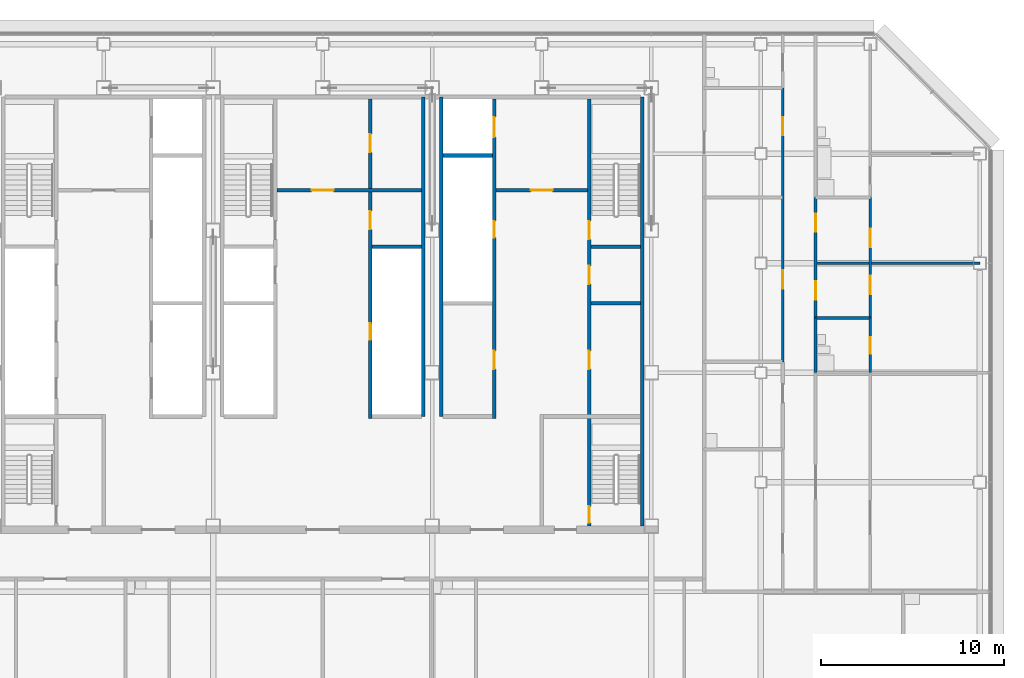
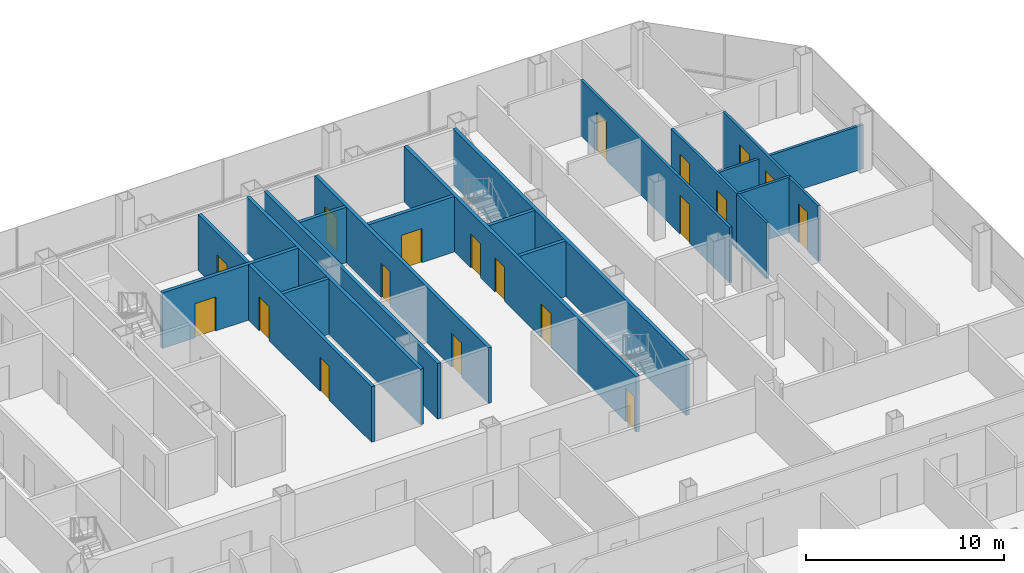
# One storey, part 22 of 26: 19 doors, 19 walls, 19 openings.
"""IFC4 building model written with IfcOpenShell, lengths in metres."""

from ifc_helpers import new_model, si_unit, direction, frame, frame_2d, origin, place, context, subcontext, project, spatial, rectangle, extrude, material, layer, layer_set, type_object, element, fill, save


model = new_model("IFC4")

# Units and contexts
model_context = context("Model", 3, precision=1e-05, world=origin(), true_north=direction((0.0, 1.0)))
body_context = subcontext(model_context, "Body", "Model", "MODEL_VIEW")
ifc_project = project(units=[si_unit("LENGTHUNIT", "METRE"), si_unit("AREAUNIT", "SQUARE_METRE"), si_unit("VOLUMEUNIT", "CUBIC_METRE"), si_unit("PLANEANGLEUNIT", "RADIAN"), si_unit("MASSUNIT", "GRAM", prefix="KILO")], contexts=[model_context])

# Site, building, storey
site_placement = place(None, origin())
site = spatial("IfcSite", under=ifc_project, at=site_placement, CompositionType="ELEMENT")
building_placement = place(site_placement, origin())
building = spatial("IfcBuilding", under=site, at=building_placement, Name="Sorahane Residences", CompositionType="ELEMENT")
storey_placement = place(building_placement, frame((0.0, 0.0, 147.39990234375)))
storey = spatial("IfcBuildingStorey", under=building, at=storey_placement, Name="L33", CompositionType="ELEMENT", Elevation=147.39990234375)

# Walls
ifc_material_1 = material(Name="Concrete C30", Category="concrete")
ifc_layer_1 = layer(ifc_material_1, 0.199951171875)
ifc_layer_set_1 = layer_set([ifc_layer_1], Name="Core face wall 200 EI 180")
wall_type_1 = type_object("IfcWallType", Name="Core face wall 200 EI 180", PredefinedType="SOLIDWALL", material=ifc_layer_set_1)
wall_1_placement = place(storey_placement, frame((41.5, 21.60009765625, 0.0), z_axis=(0.0, 0.0, 1.0), x_axis=(0.0, 1.0, 0.0)))
element("IfcWall", 1, at=wall_1_placement, inside=storey, type_object=wall_type_1, Name="L33 core face wall", PredefinedType="SOLIDWALL", context=body_context, shape_type="SweptSolid", body=[
    extrude(rectangle(XDim=23.5, YDim=0.199951171875, at=frame_2d((11.75, 0.0))), origin(), (0.0, 0.0, 1.0), 3.420166015625),
])
for number, where, z_axis, x_axis, name in (
    (2, (29.5, 27.60009765625, 0.0), (0.0, 0.0, 1.0), (0.0, 1.0, 0.0), "L33 core face wall"),
    (3, (30.5, 27.60009765625, 0.0), (0.0, 0.0, 1.0), (0.0, 1.0, 0.0), "L33 core face wall"),
):
    element("IfcWall", number, at=place(storey_placement, frame(where, z_axis=z_axis, x_axis=x_axis)), inside=storey, type_object=wall_type_1, Name=name, PredefinedType="SOLIDWALL", context=body_context, shape_type="SweptSolid", body=[
        extrude(rectangle(XDim=17.5, YDim=0.199951171875, at=frame_2d((8.75, 0.0))), origin(), (0.0, 0.0, 1.0), 3.420166015625),
    ])

# Wall, opening, door
ifc_material_2 = material(Name="Concrete C30", Category="concrete")
ifc_layer_2 = layer(ifc_material_2, 0.199951171875)
ifc_layer_set_2 = layer_set([ifc_layer_2], Name="Front room wall 200 EI 120")
wall_type_2 = type_object("IfcWallType", Name="Front room wall 200 EI 120", PredefinedType="PARTITIONING", material=ifc_layer_set_2)
wall_2_placement = place(storey_placement, frame((21.5, 40.0, 0.0), z_axis=(0.0, 0.0, 1.0), x_axis=(1.0, 0.0, 0.0)))
wall_2 = element("IfcWall", 4, at=wall_2_placement, inside=storey, type_object=wall_type_2, Name="L33 front room wall", PredefinedType="PARTITIONING", context=body_context, shape_type="SweptSolid", body=[
    extrude(rectangle(XDim=7.89990234375, YDim=0.199951171875, at=frame_2d((3.949951171875, 0.0))), origin(), (0.0, 0.0, 1.0), 3.420166015625),
])
opening_1_placement = place(wall_2_placement, frame((1.89990234375, 0.0, 0.0)))
opening_1 = element("IfcOpeningElement", 5, at=opening_1_placement, cuts=wall_2, Name="Opening L33-C07", PredefinedType="OPENING", context=body_context, shape_type="SweptSolid", body=[
    extrude(rectangle(XDim=1.199951171875, YDim=2.10009765625, at=frame_2d((0.60009765625, 1.050048828125))), frame((0.0, 0.10986328125, 0.0), z_axis=(0.0, -1.0, 0.0), x_axis=(1.0, 0.0, 0.0)), (0.0, 0.0, 1.0), 0.219970703125),
])
ifc_material_3 = material(Name="Steel", Category="steel")
door_type_1 = type_object("IfcDoorType", Name="Front room door 1200x2100 FD120", OperationType="NOTDEFINED", PredefinedType="DOOR", material=ifc_material_3)
door_1_placement = place(opening_1_placement, frame((1.199951171875, 0.0, 0.0), z_axis=(0.0, 0.0, 1.0), x_axis=(-1.0, 0.0, 0.0)))
door_1 = element("IfcDoor", 6, at=door_1_placement, inside=storey, type_object=door_type_1, Name="Front room door Stair S3 vestibule L33", OperationType="DOUBLE_DOOR_SINGLE_SWING", OverallHeight=2.10009765625, OverallWidth=1.199951171875, PredefinedType="DOOR", context=body_context, shape_type="SweptSolid", body=[
    extrude(rectangle(XDim=1.199951171875, YDim=2.10009765625, at=frame_2d((0.60009765625, 1.050048828125))), frame((0.0, 0.02490234375, 0.0), z_axis=(0.0, -1.0, 0.0), x_axis=(1.0, 0.0, 0.0)), (0.0, 0.0, 1.0), 0.050048828125),
])
fill(opening_1, door_1)

wall_3_placement = place(storey_placement, frame((33.5, 40.0, 0.0), z_axis=(0.0, 0.0, 1.0), x_axis=(1.0, 0.0, 0.0)))
wall_3 = element("IfcWall", 7, at=wall_3_placement, inside=storey, type_object=wall_type_2, Name="L33 front room wall", PredefinedType="PARTITIONING", context=body_context, shape_type="SweptSolid", body=[
    extrude(rectangle(XDim=5.0, YDim=0.199951171875, at=frame_2d((2.5, 0.0))), origin(), (0.0, 0.0, 1.0), 3.420166015625),
])
opening_2_placement = place(wall_3_placement, frame((1.89990234375, 0.0, 0.0)))
opening_2 = element("IfcOpeningElement", 8, at=opening_2_placement, cuts=wall_3, Name="Opening L33-C08", PredefinedType="OPENING", context=body_context, shape_type="SweptSolid", body=[
    extrude(rectangle(XDim=1.199951171875, YDim=2.10009765625, at=frame_2d((0.60009765625, 1.050048828125))), frame((0.0, 0.10986328125, 0.0), z_axis=(0.0, -1.0, 0.0), x_axis=(1.0, 0.0, 0.0)), (0.0, 0.0, 1.0), 0.219970703125),
])
door_2_placement = place(opening_2_placement, frame((1.199951171875, 0.0, 0.0), z_axis=(0.0, 0.0, 1.0), x_axis=(-1.0, 0.0, 0.0)))
door_2 = element("IfcDoor", 9, at=door_2_placement, inside=storey, type_object=door_type_1, Name="Front room door Firefighting lobby FF2 front room L33", OperationType="DOUBLE_DOOR_SINGLE_SWING", OverallHeight=2.10009765625, OverallWidth=1.199951171875, PredefinedType="DOOR", context=body_context, shape_type="SweptSolid", body=[
    extrude(rectangle(XDim=1.199951171875, YDim=2.10009765625, at=frame_2d((0.60009765625, 1.050048828125))), frame((0.0, 0.02490234375, 0.0), z_axis=(0.0, -1.0, 0.0), x_axis=(1.0, 0.0, 0.0)), (0.0, 0.0, 1.0), 0.050048828125),
])
fill(opening_2, door_2)

# Wall, openings, doors
ifc_material_4 = material(Name="Concrete C30", Category="concrete")
ifc_layer_3 = layer(ifc_material_4, 0.199951171875)
ifc_layer_set_3 = layer_set([ifc_layer_3], Name="Lift shaft wall 200 EI 120")
wall_type_3 = type_object("IfcWallType", Name="Lift shaft wall 200 EI 120", PredefinedType="SOLIDWALL", material=ifc_layer_set_3)
wall_4_placement = place(storey_placement, frame((33.39990234375, 27.5, 0.0), z_axis=(0.0, 0.0, 1.0), x_axis=(0.0, 1.0, 0.0)))
wall_4 = element("IfcWall", 10, at=wall_4_placement, inside=storey, type_object=wall_type_3, Name="L33 lift shaft wall", PredefinedType="SOLIDWALL", context=body_context, shape_type="SweptSolid", body=[
    extrude(rectangle(XDim=17.5, YDim=0.199951171875, at=frame_2d((8.75, 0.0))), origin(), (0.0, 0.0, 1.0), 3.420166015625),
])
opening_3_placement = place(wall_4_placement, frame((15.39990234375, 0.0, 0.0)))
opening_3 = element("IfcOpeningElement", 11, at=opening_3_placement, cuts=wall_4, Name="Opening L33-C09", PredefinedType="OPENING", context=body_context, shape_type="SweptSolid", body=[
    extrude(rectangle(XDim=1.10009765625, YDim=2.10009765625, at=frame_2d((0.550048828125, 1.050048828125))), frame((0.0, 0.10986328125, 0.0), z_axis=(0.0, -1.0, 0.0), x_axis=(1.0, 0.0, 0.0)), (0.0, 0.0, 1.0), 0.219970703125),
])
opening_4_placement = place(wall_4_placement, frame((2.699951171875, 0.0, 0.0)))
opening_4 = element("IfcOpeningElement", 12, at=opening_4_placement, cuts=wall_4, Name="Opening L33-C18", PredefinedType="OPENING", context=body_context, shape_type="SweptSolid", body=[
    extrude(rectangle(XDim=1.0, YDim=2.10009765625, at=frame_2d((0.5, 1.050048828125))), frame((0.0, 0.10986328125, 0.0), z_axis=(0.0, -1.0, 0.0), x_axis=(1.0, 0.0, 0.0)), (0.0, 0.0, 1.0), 0.219970703125),
])
opening_5_placement = place(wall_4_placement, frame((9.89990234375, 0.0, 0.0)))
opening_5 = element("IfcOpeningElement", 13, at=opening_5_placement, cuts=wall_4, Name="Opening L33-C25", PredefinedType="OPENING", context=body_context, shape_type="SweptSolid", body=[
    extrude(rectangle(XDim=0.89990234375, YDim=2.10009765625, at=frame_2d((0.449951171875, 1.050048828125))), frame((0.0, 0.10986328125, 0.0), z_axis=(0.0, -1.0, 0.0), x_axis=(1.0, 0.0, 0.0)), (0.0, 0.0, 1.0), 0.219970703125),
])
ifc_material_5 = material(Name="Aluminium and stainless steel", Category="steel")
door_type_2 = type_object("IfcDoorType", Name="Lift landing door 1100x2100 E 60", OperationType="NOTDEFINED", PredefinedType="DOOR", material=ifc_material_5)
door_3_placement = place(opening_3_placement, origin())
door_3 = element("IfcDoor", 14, at=door_3_placement, inside=storey, type_object=door_type_2, Name="Lift landing door FF2 L33", OperationType="DOUBLE_DOOR_SLIDING", OverallHeight=2.10009765625, OverallWidth=1.10009765625, PredefinedType="DOOR", context=body_context, shape_type="SweptSolid", body=[
    extrude(rectangle(XDim=1.10009765625, YDim=2.10009765625, at=frame_2d((0.550048828125, 1.050048828125))), frame((0.0, 0.02490234375, 0.0), z_axis=(0.0, -1.0, 0.0), x_axis=(1.0, 0.0, 0.0)), (0.0, 0.0, 1.0), 0.050048828125),
])
fill(opening_3, door_3)
ifc_material_6 = material(Name="Steel", Category="steel")
door_type_3 = type_object("IfcDoorType", Name="Riser door 900x2100 FD120", OperationType="NOTDEFINED", PredefinedType="DOOR", material=ifc_material_6)
door_4_placement = place(opening_5_placement, frame((0.89990234375, 0.0, 0.0), z_axis=(0.0, 0.0, 1.0), x_axis=(-1.0, 0.0, 0.0)))
door_4 = element("IfcDoor", 15, at=door_4_placement, inside=storey, type_object=door_type_3, Name="Riser door R2 L33", OperationType="SINGLE_SWING_LEFT", OverallHeight=2.10009765625, OverallWidth=0.89990234375, PredefinedType="DOOR", context=body_context, shape_type="SweptSolid", body=[
    extrude(rectangle(XDim=0.89990234375, YDim=2.10009765625, at=frame_2d((0.449951171875, 1.050048828125))), frame((0.0, 0.02490234375, 0.0), z_axis=(0.0, -1.0, 0.0), x_axis=(1.0, 0.0, 0.0)), (0.0, 0.0, 1.0), 0.050048828125),
])
fill(opening_5, door_4)
ifc_material_7 = material(Name="Steel", Category="steel")
door_type_4 = type_object("IfcDoorType", Name="Service room door 1000x2100 FD60", OperationType="NOTDEFINED", PredefinedType="DOOR", material=ifc_material_7)
door_5_placement = place(opening_4_placement, origin())
door_5 = element("IfcDoor", 16, at=door_5_placement, inside=storey, type_object=door_type_4, Name="Service room door Reading room L33", OperationType="SINGLE_SWING_RIGHT", OverallHeight=2.10009765625, OverallWidth=1.0, PredefinedType="DOOR", context=body_context, shape_type="SweptSolid", body=[
    extrude(rectangle(XDim=1.0, YDim=2.10009765625, at=frame_2d((0.5, 1.050048828125))), frame((0.0, 0.02490234375, 0.0), z_axis=(0.0, -1.0, 0.0), x_axis=(1.0, 0.0, 0.0)), (0.0, 0.0, 1.0), 0.050048828125),
])
fill(opening_4, door_5)

# Wall
wall_5_placement = place(storey_placement, frame((30.60009765625, 41.89990234375, 0.0), z_axis=(0.0, 0.0, 1.0), x_axis=(1.0, 0.0, 0.0)))
element("IfcWall", 17, at=wall_5_placement, inside=storey, type_object=wall_type_3, Name="L33 lift shaft wall", PredefinedType="SOLIDWALL", context=body_context, shape_type="SweptSolid", body=[
    extrude(rectangle(XDim=2.699951171875, YDim=0.199951171875, at=frame_2d((1.35009765625, 0.0))), origin(), (0.0, 0.0, 1.0), 3.420166015625),
])

# Wall, openings, doors
ifc_material_8 = material(Name="Gypsum board partition on steel studs", Category="steel")
ifc_layer_4 = layer(ifc_material_8, 0.14990234375)
ifc_layer_set_4 = layer_set([ifc_layer_4], Name="Partition 150 EI 90")
wall_type_4 = type_object("IfcWallType", Name="Partition 150 EI 90", PredefinedType="PARTITIONING", material=ifc_layer_set_4)
wall_6_placement = place(storey_placement, frame((49.199951171875, 30.60009765625, 0.0), z_axis=(0.0, 0.0, 1.0), x_axis=(0.0, 1.0, 0.0)))
wall_6 = element("IfcWall", 18, at=wall_6_placement, inside=storey, type_object=wall_type_4, Name="L33 partition", PredefinedType="PARTITIONING", context=body_context, shape_type="SweptSolid", body=[
    extrude(rectangle(XDim=15.0, YDim=0.14990234375, at=frame_2d((7.5, 0.0))), origin(), (0.0, 0.0, 1.0), 3.420166015625),
])
opening_6_placement = place(wall_6_placement, frame((12.39990234375, 0.0, 0.0)))
opening_6 = element("IfcOpeningElement", 19, at=opening_6_placement, cuts=wall_6, Name="Opening L33-28", PredefinedType="OPENING", context=body_context, shape_type="SweptSolid", body=[
    extrude(rectangle(XDim=1.0, YDim=2.39990234375, at=frame_2d((0.5, 1.199951171875))), frame((0.0, 0.0849609375, 0.0), z_axis=(0.0, -1.0, 0.0), x_axis=(1.0, 0.0, 0.0)), (0.0, 0.0, 1.0), 0.169921875),
])
opening_7_placement = place(wall_6_placement, frame((4.0, 0.0, 0.0)))
opening_7 = element("IfcOpeningElement", 20, at=opening_7_placement, cuts=wall_6, Name="Opening L33-31", PredefinedType="OPENING", context=body_context, shape_type="SweptSolid", body=[
    extrude(rectangle(XDim=1.0, YDim=2.39990234375, at=frame_2d((0.5, 1.199951171875))), frame((0.0, 0.0849609375, 0.0), z_axis=(0.0, -1.0, 0.0), x_axis=(1.0, 0.0, 0.0)), (0.0, 0.0, 1.0), 0.169921875),
])
ifc_material_9 = material(Name="Timber veneered fire door", Category="wood")
door_type_5 = type_object("IfcDoorType", Name="Room door 1000x2400 FD30", OperationType="NOTDEFINED", PredefinedType="DOOR", material=ifc_material_9)
door_6_placement = place(opening_6_placement, frame((1.0, 0.0, 0.0), z_axis=(0.0, 0.0, 1.0), x_axis=(-1.0, 0.0, 0.0)))
door_6 = element("IfcDoor", 21, at=door_6_placement, inside=storey, type_object=door_type_5, Name="Room door L33-28", OperationType="SINGLE_SWING_LEFT", OverallHeight=2.39990234375, OverallWidth=1.0, PredefinedType="DOOR", context=body_context, shape_type="SweptSolid", body=[
    extrude(rectangle(XDim=1.0, YDim=2.39990234375, at=frame_2d((0.5, 1.199951171875))), frame((0.0, 0.02490234375, 0.0), z_axis=(0.0, -1.0, 0.0), x_axis=(1.0, 0.0, 0.0)), (0.0, 0.0, 1.0), 0.050048828125),
])
fill(opening_6, door_6)
door_7_placement = place(opening_7_placement, origin())
door_7 = element("IfcDoor", 22, at=door_7_placement, inside=storey, type_object=door_type_5, Name="Room door L33-31", OperationType="SINGLE_SWING_LEFT", OverallHeight=2.39990234375, OverallWidth=1.0, PredefinedType="DOOR", context=body_context, shape_type="SweptSolid", body=[
    extrude(rectangle(XDim=1.0, YDim=2.39990234375, at=frame_2d((0.5, 1.199951171875))), frame((0.0, 0.02490234375, 0.0), z_axis=(0.0, -1.0, 0.0), x_axis=(1.0, 0.0, 0.0)), (0.0, 0.0, 1.0), 0.050048828125),
])
fill(opening_7, door_7)

wall_7_placement = place(storey_placement, frame((51.0, 33.0, 0.0), z_axis=(0.0, 0.0, 1.0), x_axis=(0.0, 1.0, 0.0)))
wall_7 = element("IfcWall", 23, at=wall_7_placement, inside=storey, type_object=wall_type_4, Name="L33 partition", PredefinedType="PARTITIONING", context=body_context, shape_type="SweptSolid", body=[
    extrude(rectangle(XDim=6.60009765625, YDim=0.14990234375, at=frame_2d((3.300048828125, 0.0))), origin(), (0.0, 0.0, 1.0), 3.420166015625),
])
opening_8_placement = place(wall_7_placement, frame((1.0, 0.0, 0.0)))
opening_8 = element("IfcOpeningElement", 24, at=opening_8_placement, cuts=wall_7, Name="Opening L33-34", PredefinedType="OPENING", context=body_context, shape_type="SweptSolid", body=[
    extrude(rectangle(XDim=1.0, YDim=2.39990234375, at=frame_2d((0.5, 1.199951171875))), frame((0.0, 0.0849609375, 0.0), z_axis=(0.0, -1.0, 0.0), x_axis=(1.0, 0.0, 0.0)), (0.0, 0.0, 1.0), 0.169921875),
])
opening_9_placement = place(wall_7_placement, frame((4.719970703125, 0.0, 0.0)))
opening_9 = element("IfcOpeningElement", 25, at=opening_9_placement, cuts=wall_7, Name="Opening L33-35", PredefinedType="OPENING", context=body_context, shape_type="SweptSolid", body=[
    extrude(rectangle(XDim=1.0, YDim=2.39990234375, at=frame_2d((0.5, 1.199951171875))), frame((0.0, 0.0849609375, 0.0), z_axis=(0.0, -1.0, 0.0), x_axis=(1.0, 0.0, 0.0)), (0.0, 0.0, 1.0), 0.169921875),
])
door_8_placement = place(opening_8_placement, frame((1.0, 0.0, 0.0), z_axis=(0.0, 0.0, 1.0), x_axis=(-1.0, 0.0, 0.0)))
door_8 = element("IfcDoor", 26, at=door_8_placement, inside=storey, type_object=door_type_5, Name="Room door L33-34", OperationType="SINGLE_SWING_RIGHT", OverallHeight=2.39990234375, OverallWidth=1.0, PredefinedType="DOOR", context=body_context, shape_type="SweptSolid", body=[
    extrude(rectangle(XDim=1.0, YDim=2.39990234375, at=frame_2d((0.5, 1.199951171875))), frame((0.0, 0.02490234375, 0.0), z_axis=(0.0, -1.0, 0.0), x_axis=(1.0, 0.0, 0.0)), (0.0, 0.0, 1.0), 0.050048828125),
])
fill(opening_8, door_8)
door_9_placement = place(opening_9_placement, frame((1.0, 0.0, 0.0), z_axis=(0.0, 0.0, 1.0), x_axis=(-1.0, 0.0, 0.0)))
door_9 = element("IfcDoor", 27, at=door_9_placement, inside=storey, type_object=door_type_5, Name="Room door L33-35", OperationType="SINGLE_SWING_LEFT", OverallHeight=2.39990234375, OverallWidth=1.0, PredefinedType="DOOR", context=body_context, shape_type="SweptSolid", body=[
    extrude(rectangle(XDim=1.0, YDim=2.39990234375, at=frame_2d((0.5, 1.199951171875))), frame((0.0, 0.02490234375, 0.0), z_axis=(0.0, -1.0, 0.0), x_axis=(1.0, 0.0, 0.0)), (0.0, 0.0, 1.0), 0.050048828125),
])
fill(opening_9, door_9)

wall_8_placement = place(storey_placement, frame((54.0, 33.0, 0.0), z_axis=(0.0, 0.0, 1.0), x_axis=(0.0, 1.0, 0.0)))
wall_8 = element("IfcWall", 28, at=wall_8_placement, inside=storey, type_object=wall_type_4, Name="L33 partition", PredefinedType="PARTITIONING", context=body_context, shape_type="SweptSolid", body=[
    extrude(rectangle(XDim=6.60009765625, YDim=0.14990234375, at=frame_2d((3.300048828125, 0.0))), origin(), (0.0, 0.0, 1.0), 3.420166015625),
])
opening_10_placement = place(wall_8_placement, frame((1.300048828125, 0.0, 0.0)))
opening_10 = element("IfcOpeningElement", 29, at=opening_10_placement, cuts=wall_8, Name="Opening L33-37", PredefinedType="OPENING", context=body_context, shape_type="SweptSolid", body=[
    extrude(rectangle(XDim=1.0, YDim=2.39990234375, at=frame_2d((0.5, 1.199951171875))), frame((0.0, 0.0849609375, 0.0), z_axis=(0.0, -1.0, 0.0), x_axis=(1.0, 0.0, 0.0)), (0.0, 0.0, 1.0), 0.169921875),
])
opening_11_placement = place(wall_8_placement, frame((3.8798828125, 0.0, 0.0)))
opening_11 = element("IfcOpeningElement", 30, at=opening_11_placement, cuts=wall_8, Name="Opening L33-39", PredefinedType="OPENING", context=body_context, shape_type="SweptSolid", body=[
    extrude(rectangle(XDim=1.0, YDim=2.39990234375, at=frame_2d((0.5, 1.199951171875))), frame((0.0, 0.0849609375, 0.0), z_axis=(0.0, -1.0, 0.0), x_axis=(1.0, 0.0, 0.0)), (0.0, 0.0, 1.0), 0.169921875),
])
door_10_placement = place(opening_10_placement, frame((1.0, 0.0, 0.0), z_axis=(0.0, 0.0, 1.0), x_axis=(-1.0, 0.0, 0.0)))
door_10 = element("IfcDoor", 31, at=door_10_placement, inside=storey, type_object=door_type_5, Name="Room door L33-37", OperationType="SINGLE_SWING_RIGHT", OverallHeight=2.39990234375, OverallWidth=1.0, PredefinedType="DOOR", context=body_context, shape_type="SweptSolid", body=[
    extrude(rectangle(XDim=1.0, YDim=2.39990234375, at=frame_2d((0.5, 1.199951171875))), frame((0.0, 0.02490234375, 0.0), z_axis=(0.0, -1.0, 0.0), x_axis=(1.0, 0.0, 0.0)), (0.0, 0.0, 1.0), 0.050048828125),
])
fill(opening_10, door_10)
door_11_placement = place(opening_11_placement, frame((1.0, 0.0, 0.0), z_axis=(0.0, 0.0, 1.0), x_axis=(-1.0, 0.0, 0.0)))
door_11 = element("IfcDoor", 32, at=door_11_placement, inside=storey, type_object=door_type_5, Name="Room door L33-39", OperationType="SINGLE_SWING_LEFT", OverallHeight=2.39990234375, OverallWidth=1.0, PredefinedType="DOOR", context=body_context, shape_type="SweptSolid", body=[
    extrude(rectangle(XDim=1.0, YDim=2.39990234375, at=frame_2d((0.5, 1.199951171875))), frame((0.0, 0.02490234375, 0.0), z_axis=(0.0, -1.0, 0.0), x_axis=(1.0, 0.0, 0.0)), (0.0, 0.0, 1.0), 0.050048828125),
])
fill(opening_11, door_11)

# Wall
wall_9_placement = place(storey_placement, frame((51.0, 36.0, 0.0), z_axis=(0.0, 0.0, 1.0), x_axis=(1.0, 0.0, 0.0)))
element("IfcWall", 33, at=wall_9_placement, inside=storey, type_object=wall_type_4, Name="L33 partition", PredefinedType="PARTITIONING", context=body_context, shape_type="SweptSolid", body=[
    extrude(rectangle(XDim=9.0, YDim=0.14990234375, at=frame_2d((4.5, 0.0))), origin(), (0.0, 0.0, 1.0), 2.72021484375),
])

# Wall, openings, doors
ifc_material_10 = material(Name="Concrete C30", Category="concrete")
ifc_layer_5 = layer(ifc_material_10, 0.199951171875)
ifc_layer_set_5 = layer_set([ifc_layer_5], Name="Riser shaft wall 200 EI 120")
wall_type_5 = type_object("IfcWallType", Name="Riser shaft wall 200 EI 120", PredefinedType="SOLIDWALL", material=ifc_layer_set_5)
wall_10_placement = place(storey_placement, frame((26.60009765625, 27.5, 0.0), z_axis=(0.0, 0.0, 1.0), x_axis=(0.0, 1.0, 0.0)))
wall_10 = element("IfcWall", 34, at=wall_10_placement, inside=storey, type_object=wall_type_5, Name="L33 riser wall", PredefinedType="SOLIDWALL", context=body_context, shape_type="SweptSolid", body=[
    extrude(rectangle(XDim=17.5, YDim=0.199951171875, at=frame_2d((8.75, 0.0))), origin(), (0.0, 0.0, 1.0), 3.420166015625),
])
opening_12_placement = place(wall_10_placement, frame((4.300048828125, 0.0, 0.0)))
opening_12 = element("IfcOpeningElement", 35, at=opening_12_placement, cuts=wall_10, Name="Opening L33-C27", PredefinedType="OPENING", context=body_context, shape_type="SweptSolid", body=[
    extrude(rectangle(XDim=0.89990234375, YDim=2.10009765625, at=frame_2d((0.449951171875, 1.050048828125))), frame((0.0, 0.10986328125, 0.0), z_axis=(0.0, -1.0, 0.0), x_axis=(1.0, 0.0, 0.0)), (0.0, 0.0, 1.0), 0.219970703125),
])
opening_13_placement = place(wall_10_placement, frame((10.35009765625, 0.0, 0.0)))
opening_13 = element("IfcOpeningElement", 36, at=opening_13_placement, cuts=wall_10, Name="Opening L33-C28", PredefinedType="OPENING", context=body_context, shape_type="SweptSolid", body=[
    extrude(rectangle(XDim=1.0, YDim=2.10009765625, at=frame_2d((0.5, 1.050048828125))), frame((0.0, 0.10986328125, 0.0), z_axis=(0.0, -1.0, 0.0), x_axis=(1.0, 0.0, 0.0)), (0.0, 0.0, 1.0), 0.219970703125),
])
opening_14_placement = place(wall_10_placement, frame((14.574951171875, 0.0, 0.0)))
opening_14 = element("IfcOpeningElement", 37, at=opening_14_placement, cuts=wall_10, Name="Opening L33-C29", PredefinedType="OPENING", context=body_context, shape_type="SweptSolid", body=[
    extrude(rectangle(XDim=1.0, YDim=2.10009765625, at=frame_2d((0.5, 1.050048828125))), frame((0.0, 0.10986328125, 0.0), z_axis=(0.0, -1.0, 0.0), x_axis=(1.0, 0.0, 0.0)), (0.0, 0.0, 1.0), 0.219970703125),
])
door_12_placement = place(opening_12_placement, origin())
door_12 = element("IfcDoor", 38, at=door_12_placement, inside=storey, type_object=door_type_3, Name="Riser door R4 L33", OperationType="SINGLE_SWING_LEFT", OverallHeight=2.10009765625, OverallWidth=0.89990234375, PredefinedType="DOOR", context=body_context, shape_type="SweptSolid", body=[
    extrude(rectangle(XDim=0.89990234375, YDim=2.10009765625, at=frame_2d((0.449951171875, 1.050048828125))), frame((0.0, 0.02490234375, 0.0), z_axis=(0.0, -1.0, 0.0), x_axis=(1.0, 0.0, 0.0)), (0.0, 0.0, 1.0), 0.050048828125),
])
fill(opening_12, door_12)
door_13_placement = place(opening_13_placement, frame((1.0, 0.0, 0.0), z_axis=(0.0, 0.0, 1.0), x_axis=(-1.0, 0.0, 0.0)))
door_13 = element("IfcDoor", 39, at=door_13_placement, inside=storey, type_object=door_type_4, Name="Service room door Linen room L33", OperationType="SINGLE_SWING_LEFT", OverallHeight=2.10009765625, OverallWidth=1.0, PredefinedType="DOOR", context=body_context, shape_type="SweptSolid", body=[
    extrude(rectangle(XDim=1.0, YDim=2.10009765625, at=frame_2d((0.5, 1.050048828125))), frame((0.0, 0.02490234375, 0.0), z_axis=(0.0, -1.0, 0.0), x_axis=(1.0, 0.0, 0.0)), (0.0, 0.0, 1.0), 0.050048828125),
])
fill(opening_13, door_13)
door_14_placement = place(opening_14_placement, frame((1.0, 0.0, 0.0), z_axis=(0.0, 0.0, 1.0), x_axis=(-1.0, 0.0, 0.0)))
door_14 = element("IfcDoor", 40, at=door_14_placement, inside=storey, type_object=door_type_4, Name="Service room door Cleaners' store L33", OperationType="SINGLE_SWING_LEFT", OverallHeight=2.10009765625, OverallWidth=1.0, PredefinedType="DOOR", context=body_context, shape_type="SweptSolid", body=[
    extrude(rectangle(XDim=1.0, YDim=2.10009765625, at=frame_2d((0.5, 1.050048828125))), frame((0.0, 0.02490234375, 0.0), z_axis=(0.0, -1.0, 0.0), x_axis=(1.0, 0.0, 0.0)), (0.0, 0.0, 1.0), 0.050048828125),
])
fill(opening_14, door_14)

# Walls
wall_11_placement = place(storey_placement, frame((26.699951171875, 36.89990234375, 0.0), z_axis=(0.0, 0.0, 1.0), x_axis=(1.0, 0.0, 0.0)))
element("IfcWall", 41, at=wall_11_placement, inside=storey, type_object=wall_type_5, Name="L33 riser wall", PredefinedType="SOLIDWALL", context=body_context, shape_type="SweptSolid", body=[
    extrude(rectangle(XDim=2.699951171875, YDim=0.199951171875, at=frame_2d((1.35009765625, 0.0))), origin(), (0.0, 0.0, 1.0), 3.420166015625),
])
ifc_material_11 = material(Name="Concrete C30", Category="concrete")
ifc_layer_6 = layer(ifc_material_11, 0.199951171875)
ifc_layer_set_6 = layer_set([ifc_layer_6], Name="Service room partition 200 EI 60")
wall_type_6 = type_object("IfcWallType", Name="Service room partition 200 EI 60", PredefinedType="PARTITIONING", material=ifc_layer_set_6)
wall_12_placement = place(storey_placement, frame((38.699951171875, 33.800048828125, 0.0), z_axis=(0.0, 0.0, 1.0), x_axis=(1.0, 0.0, 0.0)))
element("IfcWall", 42, at=wall_12_placement, inside=storey, type_object=wall_type_6, Name="L33 service room wall", PredefinedType="PARTITIONING", context=body_context, shape_type="SweptSolid", body=[
    extrude(rectangle(XDim=2.699951171875, YDim=0.199951171875, at=frame_2d((1.35009765625, 0.0))), origin(), (0.0, 0.0, 1.0), 3.420166015625),
])

# Wall, openings, doors
ifc_material_12 = material(Name="Concrete C30", Category="concrete")
ifc_layer_7 = layer(ifc_material_12, 0.199951171875)
ifc_layer_set_7 = layer_set([ifc_layer_7], Name="Stair enclosure wall 200 EI 120")
wall_type_7 = type_object("IfcWallType", Name="Stair enclosure wall 200 EI 120", PredefinedType="SOLIDWALL", material=ifc_layer_set_7)
wall_13_placement = place(storey_placement, frame((38.60009765625, 21.60009765625, 0.0), z_axis=(0.0, 0.0, 1.0), x_axis=(0.0, 1.0, 0.0)))
wall_13 = element("IfcWall", 43, at=wall_13_placement, inside=storey, type_object=wall_type_7, Name="L33 stair enclosure wall", PredefinedType="SOLIDWALL", context=body_context, shape_type="SweptSolid", body=[
    extrude(rectangle(XDim=23.39990234375, YDim=0.199951171875, at=frame_2d((11.699951171875, 0.0))), origin(), (0.0, 0.0, 1.0), 3.420166015625),
])
opening_15_placement = place(wall_13_placement, frame((8.60009765625, 0.0, 0.0)))
opening_15 = element("IfcOpeningElement", 44, at=opening_15_placement, cuts=wall_13, Name="Opening L33-C16", PredefinedType="OPENING", context=body_context, shape_type="SweptSolid", body=[
    extrude(rectangle(XDim=1.0, YDim=2.10009765625, at=frame_2d((0.5, 1.050048828125))), frame((0.0, 0.10986328125, 0.0), z_axis=(0.0, -1.0, 0.0), x_axis=(1.0, 0.0, 0.0)), (0.0, 0.0, 1.0), 0.219970703125),
])
opening_16_placement = place(wall_13_placement, frame((13.25, 0.0, 0.0)))
opening_16 = element("IfcOpeningElement", 45, at=opening_16_placement, cuts=wall_13, Name="Opening L33-C17", PredefinedType="OPENING", context=body_context, shape_type="SweptSolid", body=[
    extrude(rectangle(XDim=1.0, YDim=2.10009765625, at=frame_2d((0.5, 1.050048828125))), frame((0.0, 0.10986328125, 0.0), z_axis=(0.0, -1.0, 0.0), x_axis=(1.0, 0.0, 0.0)), (0.0, 0.0, 1.0), 0.219970703125),
])
opening_17_placement = place(wall_13_placement, frame((15.699951171875, 0.0, 0.0)))
opening_17 = element("IfcOpeningElement", 46, at=opening_17_placement, cuts=wall_13, Name="Opening L33-C20", PredefinedType="OPENING", context=body_context, shape_type="SweptSolid", body=[
    extrude(rectangle(XDim=1.0, YDim=2.10009765625, at=frame_2d((0.5, 1.050048828125))), frame((0.0, 0.10986328125, 0.0), z_axis=(0.0, -1.0, 0.0), x_axis=(1.0, 0.0, 0.0)), (0.0, 0.0, 1.0), 0.219970703125),
])
opening_18_placement = place(wall_13_placement, frame((0.175048828125, 0.0, 0.0)))
opening_18 = element("IfcOpeningElement", 47, at=opening_18_placement, cuts=wall_13, Name="Opening L33-C23", PredefinedType="OPENING", context=body_context, shape_type="SweptSolid", body=[
    extrude(rectangle(XDim=0.89990234375, YDim=2.10009765625, at=frame_2d((0.449951171875, 1.050048828125))), frame((0.0, 0.10986328125, 0.0), z_axis=(0.0, -1.0, 0.0), x_axis=(1.0, 0.0, 0.0)), (0.0, 0.0, 1.0), 0.219970703125),
])
door_15_placement = place(opening_15_placement, frame((1.0, 0.0, 0.0), z_axis=(0.0, 0.0, 1.0), x_axis=(-1.0, 0.0, 0.0)))
door_15 = element("IfcDoor", 48, at=door_15_placement, inside=storey, type_object=door_type_4, Name="Service room door Reading room L33", OperationType="SINGLE_SWING_RIGHT", OverallHeight=2.10009765625, OverallWidth=1.0, PredefinedType="DOOR", context=body_context, shape_type="SweptSolid", body=[
    extrude(rectangle(XDim=1.0, YDim=2.10009765625, at=frame_2d((0.5, 1.050048828125))), frame((0.0, 0.02490234375, 0.0), z_axis=(0.0, -1.0, 0.0), x_axis=(1.0, 0.0, 0.0)), (0.0, 0.0, 1.0), 0.050048828125),
])
fill(opening_15, door_15)
door_16_placement = place(opening_16_placement, frame((1.0, 0.0, 0.0), z_axis=(0.0, 0.0, 1.0), x_axis=(-1.0, 0.0, 0.0)))
door_16 = element("IfcDoor", 49, at=door_16_placement, inside=storey, type_object=door_type_4, Name="Service room door Reading room L33", OperationType="SINGLE_SWING_LEFT", OverallHeight=2.10009765625, OverallWidth=1.0, PredefinedType="DOOR", context=body_context, shape_type="SweptSolid", body=[
    extrude(rectangle(XDim=1.0, YDim=2.10009765625, at=frame_2d((0.5, 1.050048828125))), frame((0.0, 0.02490234375, 0.0), z_axis=(0.0, -1.0, 0.0), x_axis=(1.0, 0.0, 0.0)), (0.0, 0.0, 1.0), 0.050048828125),
])
fill(opening_16, door_16)
ifc_material_13 = material(Name="Steel", Category="steel")
door_type_6 = type_object("IfcDoorType", Name="Stair door 1000x2100 FD120", OperationType="NOTDEFINED", PredefinedType="DOOR", material=ifc_material_13)
door_17_placement = place(opening_17_placement, frame((1.0, 0.0, 0.0), z_axis=(0.0, 0.0, 1.0), x_axis=(-1.0, 0.0, 0.0)))
door_17 = element("IfcDoor", 50, at=door_17_placement, inside=storey, type_object=door_type_6, Name="Stair door S2 L33", OperationType="SINGLE_SWING_LEFT", OverallHeight=2.10009765625, OverallWidth=1.0, PredefinedType="DOOR", context=body_context, shape_type="SweptSolid", body=[
    extrude(rectangle(XDim=1.0, YDim=2.10009765625, at=frame_2d((0.5, 1.050048828125))), frame((0.0, 0.02490234375, 0.0), z_axis=(0.0, -1.0, 0.0), x_axis=(1.0, 0.0, 0.0)), (0.0, 0.0, 1.0), 0.050048828125),
])
fill(opening_17, door_17)
ifc_material_14 = material(Name="Steel", Category="steel")
door_type_7 = type_object("IfcDoorType", Name="Stair door 900x2100 FD120", OperationType="NOTDEFINED", PredefinedType="DOOR", material=ifc_material_14)
door_18_placement = place(opening_18_placement, frame((0.89990234375, 0.0, 0.0), z_axis=(0.0, 0.0, 1.0), x_axis=(-1.0, 0.0, 0.0)))
door_18 = element("IfcDoor", 51, at=door_18_placement, inside=storey, type_object=door_type_7, Name="Stair door S5 L33", OperationType="SINGLE_SWING_LEFT", OverallHeight=2.10009765625, OverallWidth=0.89990234375, PredefinedType="DOOR", context=body_context, shape_type="SweptSolid", body=[
    extrude(rectangle(XDim=0.89990234375, YDim=2.10009765625, at=frame_2d((0.449951171875, 1.050048828125))), frame((0.0, 0.02490234375, 0.0), z_axis=(0.0, -1.0, 0.0), x_axis=(1.0, 0.0, 0.0)), (0.0, 0.0, 1.0), 0.050048828125),
])
fill(opening_18, door_18)

# Walls
wall_14_placement = place(storey_placement, frame((38.699951171875, 36.89990234375, 0.0), z_axis=(0.0, 0.0, 1.0), x_axis=(1.0, 0.0, 0.0)))
element("IfcWall", 52, at=wall_14_placement, inside=storey, type_object=wall_type_7, Name="L33 stair enclosure wall", PredefinedType="SOLIDWALL", context=body_context, shape_type="SweptSolid", body=[
    extrude(rectangle(XDim=2.699951171875, YDim=0.199951171875, at=frame_2d((1.35009765625, 0.0))), origin(), (0.0, 0.0, 1.0), 3.420166015625),
])
ifc_material_15 = material(Name="Gypsum board partition on steel studs", Category="steel")
ifc_layer_8 = layer(ifc_material_15, 0.14990234375)
ifc_layer_set_8 = layer_set([ifc_layer_8], Name="Wet wall 150 EI 90")
wall_type_8 = type_object("IfcWallType", Name="Wet wall 150 EI 90", PredefinedType="PARTITIONING", material=ifc_layer_set_8)
wall_15_placement = place(storey_placement, frame((51.0, 30.0, 0.0), z_axis=(0.0, 0.0, 1.0), x_axis=(0.0, 1.0, 0.0)))
element("IfcWall", 53, at=wall_15_placement, inside=storey, type_object=wall_type_8, Name="L33 wet wall", PredefinedType="PARTITIONING", context=body_context, shape_type="SweptSolid", body=[
    extrude(rectangle(XDim=3.0, YDim=0.14990234375, at=frame_2d((1.5, 0.0))), origin(), (0.0, 0.0, 1.0), 3.420166015625),
])

# Wall, opening, door
wall_16_placement = place(storey_placement, frame((54.0, 30.0, 0.0), z_axis=(0.0, 0.0, 1.0), x_axis=(0.0, 1.0, 0.0)))
wall_16 = element("IfcWall", 54, at=wall_16_placement, inside=storey, type_object=wall_type_8, Name="L33 wet wall", PredefinedType="PARTITIONING", context=body_context, shape_type="SweptSolid", body=[
    extrude(rectangle(XDim=3.0, YDim=0.14990234375, at=frame_2d((1.5, 0.0))), origin(), (0.0, 0.0, 1.0), 3.420166015625),
])
opening_19_placement = place(wall_16_placement, frame((1.050048828125, 0.0, 0.0)))
opening_19 = element("IfcOpeningElement", 55, at=opening_19_placement, cuts=wall_16, Name="Opening L33-38", PredefinedType="OPENING", context=body_context, shape_type="SweptSolid", body=[
    extrude(rectangle(XDim=0.89990234375, YDim=2.39990234375, at=frame_2d((0.449951171875, 1.199951171875))), frame((0.0, 0.0849609375, 0.0), z_axis=(0.0, -1.0, 0.0), x_axis=(1.0, 0.0, 0.0)), (0.0, 0.0, 1.0), 0.169921875),
])
ifc_material_16 = material(Name="Timber veneered fire door", Category="wood")
door_type_8 = type_object("IfcDoorType", Name="Bathroom door 900x2400 FD30", OperationType="NOTDEFINED", PredefinedType="DOOR", material=ifc_material_16)
door_19_placement = place(opening_19_placement, frame((0.89990234375, 0.0, 0.0), z_axis=(0.0, 0.0, 1.0), x_axis=(-1.0, 0.0, 0.0)))
door_19 = element("IfcDoor", 56, at=door_19_placement, inside=storey, type_object=door_type_8, Name="Bathroom door L33-38", OperationType="SINGLE_SWING_LEFT", OverallHeight=2.39990234375, OverallWidth=0.89990234375, PredefinedType="DOOR", context=body_context, shape_type="SweptSolid", body=[
    extrude(rectangle(XDim=0.89990234375, YDim=2.39990234375, at=frame_2d((0.449951171875, 1.199951171875))), frame((0.0, 0.02490234375, 0.0), z_axis=(0.0, -1.0, 0.0), x_axis=(1.0, 0.0, 0.0)), (0.0, 0.0, 1.0), 0.050048828125),
])
fill(opening_19, door_19)

# Wall
wall_17_placement = place(storey_placement, frame((51.0, 33.0, 0.0), z_axis=(0.0, 0.0, 1.0), x_axis=(1.0, 0.0, 0.0)))
element("IfcWall", 57, at=wall_17_placement, inside=storey, type_object=wall_type_8, Name="L33 wet wall", PredefinedType="PARTITIONING", context=body_context, shape_type="SweptSolid", body=[
    extrude(rectangle(XDim=3.0, YDim=0.14990234375, at=frame_2d((1.5, 0.0))), origin(), (0.0, 0.0, 1.0), 3.420166015625),
])

save(model, "model.ifc")
